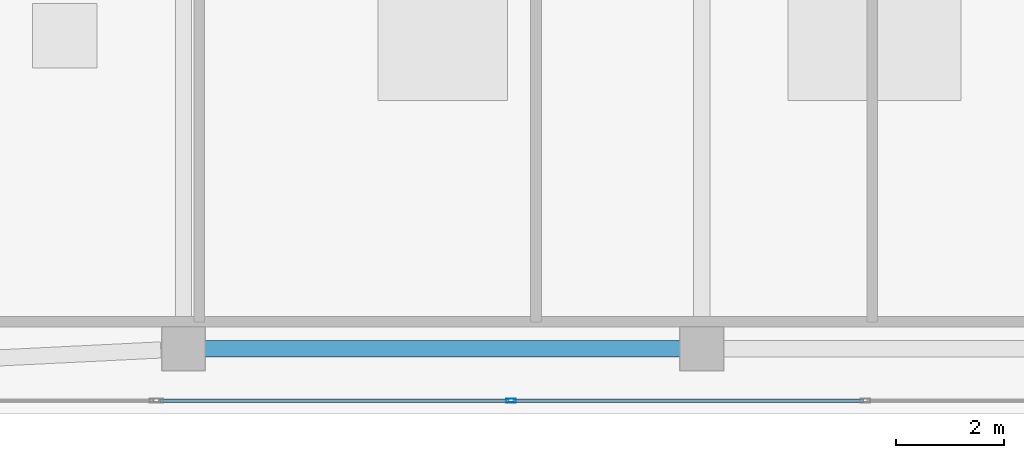
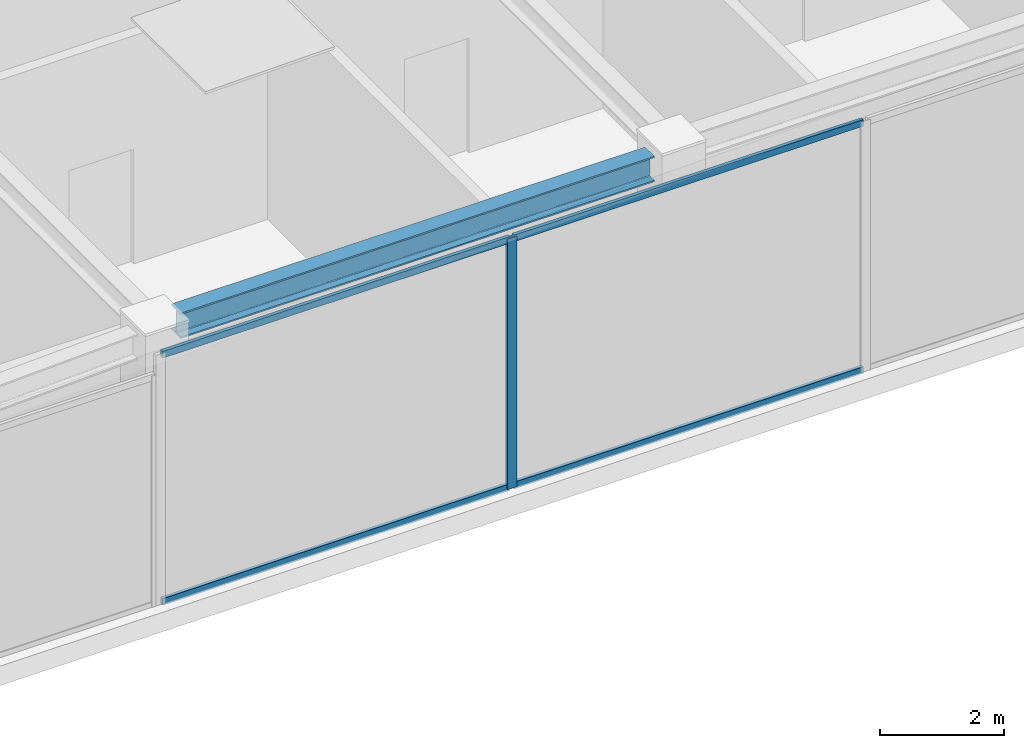
# One storey, part 6 of 22: 5 members, 1 beam, 1 element without a shape of its own.
"""IFC4 building model written with IfcOpenShell, lengths in metres."""

from ifc_helpers import new_model, si_unit, direction, frame, origin, origin_with_axes, origin_2d, place, context, subcontext, project, spatial, hollow_rectangle, i_section, extrude, source, transform, mapped, material, layer, layer_set, material_profile, profile_set, type_object, element, aggregate, save


model = new_model("IFC4")

# Units and contexts
model_context = context("Model", 3, precision=1e-05, world=origin(), true_north=direction((0.0, 1.0)))
body_context = subcontext(model_context, "Body", "Model", "MODEL_VIEW")
ifc_project = project(units=[si_unit("LENGTHUNIT", "METRE"), si_unit("AREAUNIT", "SQUARE_METRE"), si_unit("VOLUMEUNIT", "CUBIC_METRE"), si_unit("PLANEANGLEUNIT", "RADIAN"), si_unit("MASSUNIT", "GRAM", prefix="KILO")], contexts=[model_context])

# Site, building, storey
site_placement = place(None, origin())
site = spatial("IfcSite", under=ifc_project, at=site_placement, CompositionType="ELEMENT")
building_placement = place(site_placement, origin())
building = spatial("IfcBuilding", under=site, at=building_placement, Name="Kolvaren Waterfront Exchange", CompositionType="ELEMENT")
storey_placement = place(building_placement, frame((0.0, 0.0, 360.39990234375)))
storey = spatial("IfcBuildingStorey", under=building, at=storey_placement, Name="RF", CompositionType="ELEMENT", Elevation=360.39990234375)

# Beam
ifc_material_1 = material(Name="Steel S355", Category="steel")
ifc_material_profile_1 = material_profile(ifc_material_1, i_section(OverallWidth=0.300048828125, OverallDepth=0.5, WebThickness=0.014404296875, FlangeThickness=0.028076171875, FilletRadius=0.027099609375, at=origin_2d()), Name="HEB500")
ifc_profile_set_1 = profile_set([ifc_material_profile_1], Name="Steel S355")
beam_type = type_object("IfcBeamType", Name="STR-BM-HEB500", PredefinedType="BEAM", material=ifc_profile_set_1)
beam_placement = place(storey_placement, frame((27.60205078125, 5.199951171875, 4.65966796875), z_axis=(1.0, 0.0, 0.0), x_axis=(0.0, 1.0, 0.0)))
element("IfcBeam", 1, at=beam_placement, inside=storey, type_object=beam_type, Name="RF crown roof girder 4", PredefinedType="SPANDREL", context=body_context, shape_type="SweptSolid", body=[
    extrude(i_section(OverallWidth=0.300048828125, OverallDepth=0.5, WebThickness=0.014404296875, FlangeThickness=0.028076171875, FilletRadius=0.027099609375, at=origin_2d()), origin(), (0.0, 0.0, 1.0), 8.7958984375),
])

# Curtain wall, members
ifc_material_2 = material(Name="Anodised bronze aluminium 6063-T6", Category="aluminium")
ifc_layer = layer(ifc_material_2, 0.219970703125, Name="Anodised bronze aluminium 6063-T6")
ifc_layer_set = layer_set([ifc_layer], Name="Anodised bronze aluminium 6063-T6")
curtain_wall_type = type_object("IfcCurtainWallType", Name="ARC-CW-SYS5", PredefinedType="USERDEFINED", material=ifc_layer_set)
curtain_wall_placement = place(storey_placement, origin())
curtain_wall = element("IfcCurtainWall", 2, at=curtain_wall_placement, inside=storey, type_object=curtain_wall_type, Name="RF stick curtain wall CW5 (CW-RF-S2)", ObjectType="STICK CURTAIN WALL", PredefinedType="USERDEFINED")
ifc_material_profile_2 = material_profile(ifc_material_2, hollow_rectangle(XDim=0.06494140625, YDim=0.1298828125, WallThickness=0.00390625, at=origin_2d()), Name="ALU-TRN-130x65x4")
ifc_profile_set_2 = profile_set([ifc_material_profile_2], Name="Anodised bronze aluminium 6063-T6")
member_type_1 = type_object("IfcMemberType", Name="ARC-CWT-130", PredefinedType="USERDEFINED", material=ifc_profile_set_2)
shared_shape_1 = source(origin_with_axes(), body_context, "Body", "SweptSolid", [
    extrude(hollow_rectangle(XDim=0.06494140625, YDim=0.1298828125, WallThickness=0.00390625, at=origin_2d()), origin(), (0.0, 0.0, 1.0), 6.49169921875),
])
member_1_placement = place(storey_placement, frame((33.30419921875, 4.239990234375, 0.03271484375), z_axis=(1.0, 0.0, 0.0), x_axis=(0.0, 1.0, 0.0)))
member_1 = element("IfcMember", 3, at=member_1_placement, type_object=member_type_1, Name="CW5 transom 2.1", ObjectType="TRANSOM", PredefinedType="USERDEFINED", context=body_context, shape_type="MappedRepresentation", body=[
    mapped(shared_shape_1, transform((0.0, 0.0, 0.0), x_axis=(1.0, 0.0, 0.0), y_axis=(0.0, 1.0, 0.0), z_axis=(0.0, 0.0, 1.0), scale=1.0)),
])
member_2_placement = place(storey_placement, frame((33.30419921875, 4.239990234375, 4.8876953125), z_axis=(1.0, 0.0, 0.0), x_axis=(0.0, 1.0, 0.0)))
member_2 = element("IfcMember", 4, at=member_2_placement, type_object=member_type_1, Name="CW5 transom 2.2", ObjectType="TRANSOM", PredefinedType="USERDEFINED", context=body_context, shape_type="MappedRepresentation", body=[
    mapped(shared_shape_1, transform((0.0, 0.0, 0.0), x_axis=(1.0, 0.0, 0.0), y_axis=(0.0, 1.0, 0.0), z_axis=(0.0, 0.0, 1.0), scale=1.0)),
])
ifc_material_profile_3 = material_profile(ifc_material_2, hollow_rectangle(XDim=0.074951171875, YDim=0.179931640625, WallThickness=0.00439453125, at=origin_2d()), Name="ALU-MUL-180x75x4.5")
ifc_profile_set_3 = profile_set([ifc_material_profile_3], Name="Anodised bronze aluminium 6063-T6")
member_type_2 = type_object("IfcMemberType", Name="ARC-CWM-180", PredefinedType="MULLION", material=ifc_profile_set_3)
shared_shape_2 = source(origin_with_axes(), body_context, "Body", "SweptSolid", [
    extrude(hollow_rectangle(XDim=0.074951171875, YDim=0.179931640625, WallThickness=0.00439453125, at=origin_2d()), origin(), (0.0, 0.0, 1.0), 4.920166015625),
])
member_3_placement = place(storey_placement, frame((33.2666015625, 4.239990234375, 0.0), z_axis=(0.0, 0.0, 1.0), x_axis=(0.0, 1.0, 0.0)))
member_3 = element("IfcMember", 5, at=member_3_placement, type_object=member_type_2, Name="CW5 mullion 2", PredefinedType="MULLION", context=body_context, shape_type="MappedRepresentation", body=[
    mapped(shared_shape_2, transform((0.0, 0.0, 0.0), x_axis=(1.0, 0.0, 0.0), y_axis=(0.0, 1.0, 0.0), z_axis=(0.0, 0.0, 1.0), scale=1.0)),
])
shared_shape_3 = source(origin_with_axes(), body_context, "Body", "SweptSolid", [
    extrude(hollow_rectangle(XDim=0.06494140625, YDim=0.1298828125, WallThickness=0.00390625, at=origin_2d()), origin(), (0.0, 0.0, 1.0), 6.454345703125),
])
member_4_placement = place(storey_placement, frame((26.77490234375, 4.239990234375, 0.03271484375), z_axis=(1.0, 0.0, 0.0), x_axis=(0.0, 1.0, 0.0)))
member_4 = element("IfcMember", 6, at=member_4_placement, type_object=member_type_1, Name="CW5 transom 1.1", ObjectType="TRANSOM", PredefinedType="USERDEFINED", context=body_context, shape_type="MappedRepresentation", body=[
    mapped(shared_shape_3, transform((0.0, 0.0, 0.0), x_axis=(1.0, 0.0, 0.0), y_axis=(0.0, 1.0, 0.0), z_axis=(0.0, 0.0, 1.0), scale=1.0)),
])
member_5_placement = place(storey_placement, frame((26.77490234375, 4.239990234375, 4.8876953125), z_axis=(1.0, 0.0, 0.0), x_axis=(0.0, 1.0, 0.0)))
member_5 = element("IfcMember", 7, at=member_5_placement, type_object=member_type_1, Name="CW5 transom 1.2", ObjectType="TRANSOM", PredefinedType="USERDEFINED", context=body_context, shape_type="MappedRepresentation", body=[
    mapped(shared_shape_3, transform((0.0, 0.0, 0.0), x_axis=(1.0, 0.0, 0.0), y_axis=(0.0, 1.0, 0.0), z_axis=(0.0, 0.0, 1.0), scale=1.0)),
])
aggregate(curtain_wall, [member_3, member_4, member_5, member_1, member_2])

save(model, "model.ifc")
